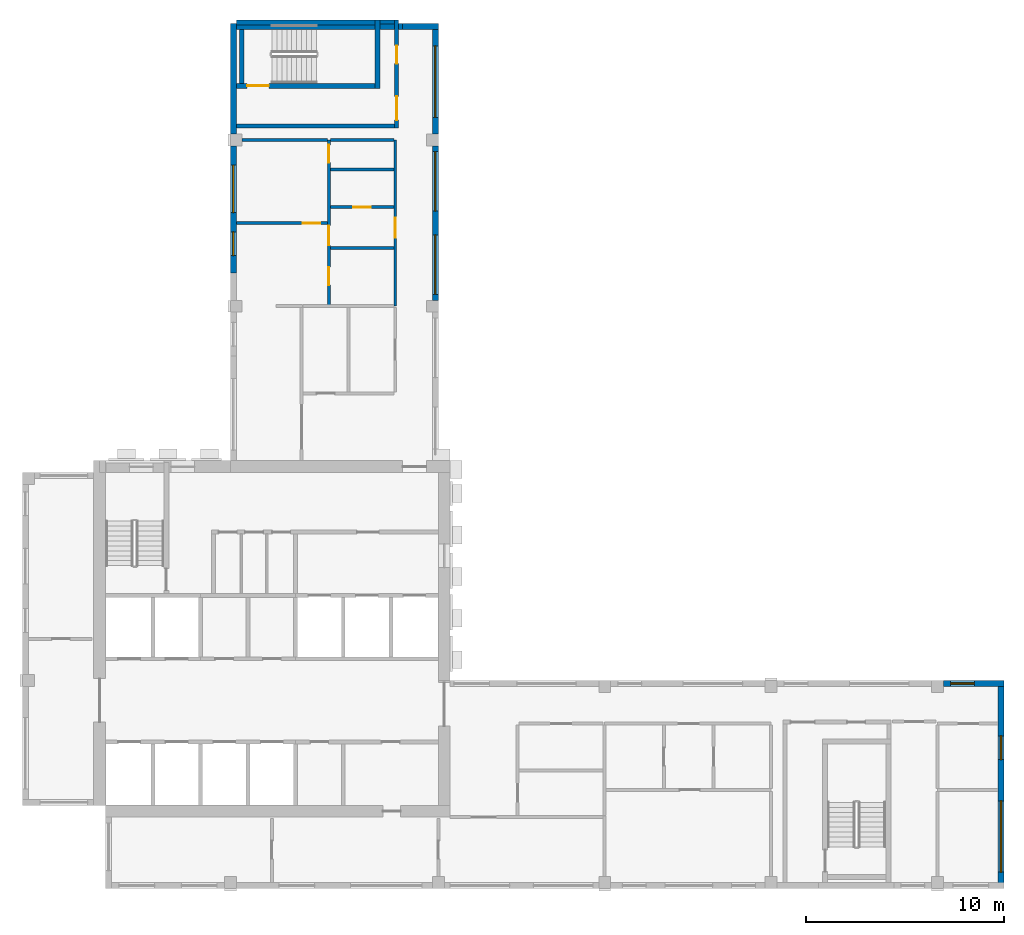
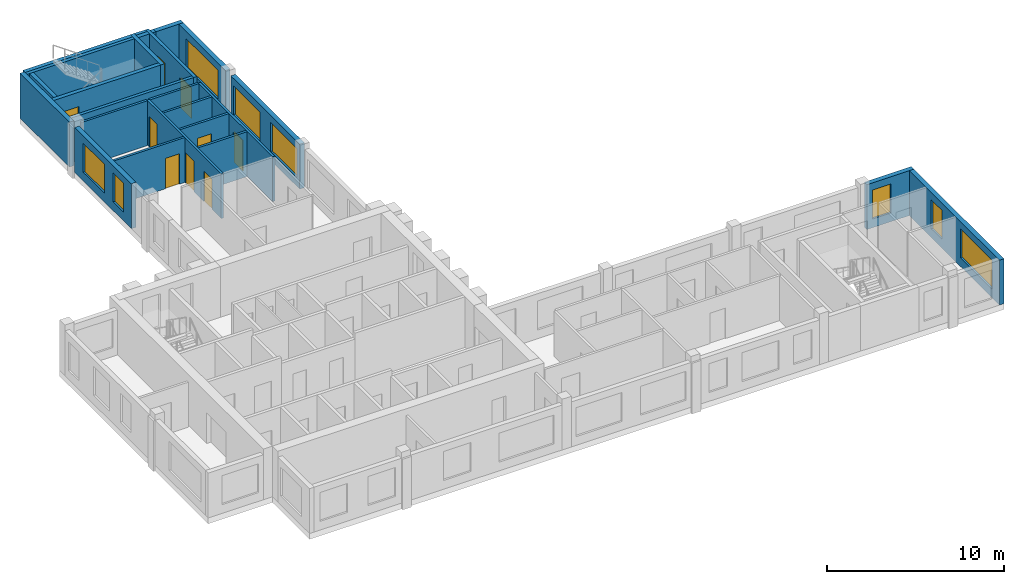
# One storey, part 5 of 10: 23 walls, 9 doors, 8 windows, 17 openings.
"""IFC4 building model written with IfcOpenShell, lengths in metres."""

from ifc_helpers import new_model, si_unit, direction, frame, frame_2d, origin, place, context, subcontext, project, spatial, rectangle, extrude, source, transform, mapped, material, layer, layer_set, type_object, element, fill, save


model = new_model("IFC4")

# Units and contexts
model_context = context("Model", 3, precision=1e-05, world=origin(), true_north=direction((0.0, 1.0)))
body_context = subcontext(model_context, "Body", "Model", "MODEL_VIEW")
ifc_project = project(units=[si_unit("LENGTHUNIT", "METRE"), si_unit("AREAUNIT", "SQUARE_METRE"), si_unit("VOLUMEUNIT", "CUBIC_METRE"), si_unit("PLANEANGLEUNIT", "RADIAN"), si_unit("MASSUNIT", "GRAM", prefix="KILO")], contexts=[model_context])

# Site, building, storey
site_placement = place(None, origin())
site = spatial("IfcSite", under=ifc_project, at=site_placement, CompositionType="ELEMENT")
building_placement = place(site_placement, origin())
building = spatial("IfcBuilding", under=site, at=building_placement, Name="Aurelian Terraces", CompositionType="ELEMENT")
storey_placement = place(building_placement, frame((0.0, 0.0, 358.0)))
storey = spatial("IfcBuildingStorey", under=building, at=storey_placement, Name="L85", CompositionType="ELEMENT", Elevation=358.0)

# Wall, opening, door
ifc_material_1 = material(Name="Gypsum board on steel studs", Category="steel")
ifc_layer_1 = layer(ifc_material_1, 0.15)
ifc_layer_set_1 = layer_set([ifc_layer_1], Name="Partition 150")
wall_type_1 = type_object("IfcWallType", Name="Partition 150", PredefinedType="PARTITIONING", material=ifc_layer_set_1)
wall_1_placement = place(storey_placement, frame((15.4, 33.6, 0.0), z_axis=(0.0, 0.0, 1.0), x_axis=(-1.0, 0.0, 0.0)))
wall_1 = element("IfcWall", 1, at=wall_1_placement, inside=storey, type_object=wall_type_1, Name="Partition", PredefinedType="PARTITIONING", context=body_context, shape_type="SweptSolid", body=[
    extrude(rectangle(XDim=4.6, YDim=0.15, at=frame_2d((2.3, 0.0))), origin(), (0.0, 0.0, 1.0), 3.1),
])
shared_shape_1 = source(origin(), body_context, "Body", "SweptSolid", [
    extrude(rectangle(XDim=0.9, YDim=2.1, at=frame_2d((0.45, 1.05))), frame((0.0, 0.085, 0.0), z_axis=(0.0, -1.0, 0.0), x_axis=(1.0, 0.0, 0.0)), (0.0, 0.0, 1.0), 0.17),
])
opening_1_placement = place(wall_1_placement, frame((0.35, 0.0, 0.0)))
opening_1 = element("IfcOpeningElement", 2, at=opening_1_placement, cuts=wall_1, Name="Opening 785021", PredefinedType="OPENING", context=body_context, shape_type="MappedRepresentation", body=[
    mapped(shared_shape_1, transform((0.0, 0.0, 0.0), scale=1.0)),
])
ifc_material_2 = material(Name="Timber door leaf", Category="wood")
door_type_1 = type_object("IfcDoorType", Name="Room door 900x2100 left", OperationType="SINGLE_SWING_LEFT", PredefinedType="DOOR", material=ifc_material_2)
shared_shape_2 = source(origin(), body_context, "Body", "SweptSolid", [
    extrude(rectangle(XDim=0.9, YDim=2.1, at=frame_2d((0.45, 1.05))), frame((0.0, 0.025, 0.0), z_axis=(0.0, -1.0, 0.0), x_axis=(1.0, 0.0, 0.0)), (0.0, 0.0, 1.0), 0.05),
])
door_1_placement = place(opening_1_placement, origin())
door_1 = element("IfcDoor", 3, at=door_1_placement, inside=storey, type_object=door_type_1, Name="Door 785021", OperationType="SINGLE_SWING_LEFT", OverallHeight=2.1, OverallWidth=0.9, PredefinedType="DOOR", context=body_context, shape_type="MappedRepresentation", body=[
    mapped(shared_shape_2, transform((0.0, 0.0, 0.0), scale=1.0)),
])
fill(opening_1, door_1)

# Wall, openings, windows
ifc_material_3 = material(Name="Terracotta rainscreen cladding", Category="masonry")
ifc_layer_2 = layer(ifc_material_3, 0.3)
ifc_layer_set_2 = layer_set([ifc_layer_2], Name="EW-300")
wall_type_2 = type_object("IfcWallType", Name="EW-300", PredefinedType="STANDARD", material=ifc_layer_set_2)
shared_shape_3 = source(origin(), body_context, "Body", "SweptSolid", [
    extrude(rectangle(XDim=10.5, YDim=0.3, at=frame_2d((5.25, 0.0))), origin(), (0.0, 0.0, 1.0), 3.1),
])
wall_2_placement = place(storey_placement, frame((49.41, 0.0, 0.0), z_axis=(0.0, 0.0, 1.0), x_axis=(0.0, 1.0, 0.0)))
wall_2 = element("IfcWall", 4, at=wall_2_placement, inside=storey, type_object=wall_type_2, Name="External wall L85 F02.7", PredefinedType="STANDARD", context=body_context, shape_type="MappedRepresentation", body=[
    mapped(shared_shape_3, transform((0.0, 0.0, 0.0), scale=1.0)),
])
shared_shape_4 = source(origin(), body_context, "Body", "SweptSolid", [
    extrude(rectangle(XDim=3.6, YDim=2.0, at=frame_2d((1.8, 1.0))), frame((0.0, 0.16, 0.0), z_axis=(0.0, -1.0, 0.0), x_axis=(1.0, 0.0, 0.0)), (0.0, 0.0, 1.0), 0.32),
])
opening_2_placement = place(wall_2_placement, frame((0.825, 0.0, 0.6)))
opening_2 = element("IfcOpeningElement", 5, at=opening_2_placement, cuts=wall_2, Name="Opening W3620", PredefinedType="OPENING", context=body_context, shape_type="MappedRepresentation", body=[
    mapped(shared_shape_4, transform((0.0, 0.0, 0.0), scale=1.0)),
])
shared_shape_5 = source(origin(), body_context, "Body", "SweptSolid", [
    extrude(rectangle(XDim=1.2, YDim=2.0, at=frame_2d((0.6, 1.0))), frame((0.0, 0.16, 0.0), z_axis=(0.0, -1.0, 0.0), x_axis=(1.0, 0.0, 0.0)), (0.0, 0.0, 1.0), 0.32),
])
opening_3_placement = place(wall_2_placement, frame((6.5125, 0.0, 0.6)))
opening_3 = element("IfcOpeningElement", 6, at=opening_3_placement, cuts=wall_2, Name="Opening W1220", PredefinedType="OPENING", context=body_context, shape_type="MappedRepresentation", body=[
    mapped(shared_shape_5, transform((0.0, 0.0, 0.0), scale=1.0)),
])
ifc_material_4 = material(Name="Clear glazing", Category="glass")
window_type_1 = type_object("IfcWindowType", Name="W-1200x2000", PartitioningType="SINGLE_PANEL", PredefinedType="WINDOW", material=ifc_material_4)
shared_shape_6 = source(origin(), body_context, "Body", "SweptSolid", [
    extrude(rectangle(XDim=1.2, YDim=2.0, at=frame_2d((0.6, 1.0))), frame((0.0, 0.03, 0.0), z_axis=(0.0, -1.0, 0.0), x_axis=(1.0, 0.0, 0.0)), (0.0, 0.0, 1.0), 0.06),
])
window_1_placement = place(opening_3_placement, origin())
window_1 = element("IfcWindow", 7, at=window_1_placement, inside=storey, type_object=window_type_1, Name="Window L85 L85-F02-07-1", OverallHeight=2.0, OverallWidth=1.2, PartitioningType="SINGLE_PANEL", PredefinedType="WINDOW", context=body_context, shape_type="MappedRepresentation", body=[
    mapped(shared_shape_6, transform((0.0, 0.0, 0.0), scale=1.0)),
])
fill(opening_3, window_1)
window_type_2 = type_object("IfcWindowType", Name="W-3600x2000", PartitioningType="SINGLE_PANEL", PredefinedType="WINDOW", material=ifc_material_4)
shared_shape_7 = source(origin(), body_context, "Body", "SweptSolid", [
    extrude(rectangle(XDim=3.6, YDim=2.0, at=frame_2d((1.8, 1.0))), frame((0.0, 0.03, 0.0), z_axis=(0.0, -1.0, 0.0), x_axis=(1.0, 0.0, 0.0)), (0.0, 0.0, 1.0), 0.06),
])
window_2_placement = place(opening_2_placement, origin())
window_2 = element("IfcWindow", 8, at=window_2_placement, inside=storey, type_object=window_type_2, Name="Window L85 L85-F02-07-0", OverallHeight=2.0, OverallWidth=3.6, PartitioningType="SINGLE_PANEL", PredefinedType="WINDOW", context=body_context, shape_type="MappedRepresentation", body=[
    mapped(shared_shape_7, transform((0.0, 0.0, 0.0), scale=1.0)),
])
fill(opening_2, window_2)

# Walls
shared_shape_8 = source(origin(), body_context, "Body", "SweptSolid", [
    extrude(rectangle(XDim=1.8, YDim=0.3, at=frame_2d((0.9, 0.0))), origin(), (0.0, 0.0, 1.0), 3.1),
])
wall_3_placement = place(storey_placement, frame((21.0, 43.53, 0.0), z_axis=(0.0, 0.0, 1.0), x_axis=(-1.0, 0.0, 0.0)))
element("IfcWall", 9, at=wall_3_placement, inside=storey, type_object=wall_type_2, Name="External wall L85 F05.13", PredefinedType="STANDARD", context=body_context, shape_type="MappedRepresentation", body=[
    mapped(shared_shape_8, transform((0.0, 0.0, 0.0), scale=1.0)),
])
ifc_material_5 = material(Name="Concrete fc' 40 MPa", Category="concrete")
ifc_layer_3 = layer(ifc_material_5, 0.3)
ifc_layer_set_3 = layer_set([ifc_layer_3], Name="STAIR BAY WALL 300")
wall_type_3 = type_object("IfcWallType", Name="STAIR BAY WALL 300", PredefinedType="SOLIDWALL", material=ifc_layer_set_3)
shared_shape_9 = source(origin(), body_context, "Body", "SweptSolid", [
    extrude(rectangle(XDim=8.6, YDim=0.3, at=frame_2d((4.3, 0.0))), origin(), (0.0, 0.0, 1.0), 3.1),
])
wall_4_placement = place(storey_placement, frame((19.2, 43.53, 0.0), z_axis=(0.0, 0.0, 1.0), x_axis=(-1.0, 0.0, 0.0)))
element("IfcWall", 10, at=wall_4_placement, inside=storey, type_object=wall_type_3, Name="Stair bay wall L85 F05.13", PredefinedType="SOLIDWALL", context=body_context, shape_type="MappedRepresentation", body=[
    mapped(shared_shape_9, transform((0.0, 0.0, 0.0), scale=1.0)),
])

# Wall, opening, window
shared_shape_10 = source(origin(), body_context, "Body", "SweptSolid", [
    extrude(rectangle(XDim=3.06, YDim=0.3, at=frame_2d((1.53, 0.0))), origin(), (0.0, 0.0, 1.0), 3.1),
])
wall_5_placement = place(storey_placement, frame((49.56, 10.35, 0.0), z_axis=(0.0, 0.0, 1.0), x_axis=(-1.0, 0.0, 0.0)))
wall_5 = element("IfcWall", 11, at=wall_5_placement, inside=storey, type_object=wall_type_2, Name="External wall L85 F03.8", PredefinedType="STANDARD", context=body_context, shape_type="MappedRepresentation", body=[
    mapped(shared_shape_10, transform((0.0, 0.0, 0.0), scale=1.0)),
])
opening_4_placement = place(wall_5_placement, frame((1.5, 0.0, 0.6)))
opening_4 = element("IfcOpeningElement", 12, at=opening_4_placement, cuts=wall_5, Name="Opening W1220", PredefinedType="OPENING", context=body_context, shape_type="MappedRepresentation", body=[
    mapped(shared_shape_5, transform((0.0, 0.0, 0.0), scale=1.0)),
])
window_3_placement = place(opening_4_placement, origin())
window_3 = element("IfcWindow", 13, at=window_3_placement, inside=storey, type_object=window_type_1, Name="Window L85 L85-F03-08-0", OverallHeight=2.0, OverallWidth=1.2, PartitioningType="SINGLE_PANEL", PredefinedType="WINDOW", context=body_context, shape_type="MappedRepresentation", body=[
    mapped(shared_shape_6, transform((0.0, 0.0, 0.0), scale=1.0)),
])
fill(opening_4, window_3)

# Wall, openings, windows
shared_shape_11 = source(origin(), body_context, "Body", "SweptSolid", [
    extrude(rectangle(XDim=7.8, YDim=0.3, at=frame_2d((3.9, 0.0))), origin(), (0.0, 0.0, 1.0), 3.1),
])
wall_6_placement = place(storey_placement, frame((20.85, 29.7, 0.0), z_axis=(0.0, 0.0, 1.0), x_axis=(0.0, 1.0, 0.0)))
wall_6 = element("IfcWall", 14, at=wall_6_placement, inside=storey, type_object=wall_type_2, Name="External wall L85 F04.11", PredefinedType="STANDARD", context=body_context, shape_type="MappedRepresentation", body=[
    mapped(shared_shape_11, transform((0.0, 0.0, 0.0), scale=1.0)),
])
shared_shape_12 = source(origin(), body_context, "Body", "SweptSolid", [
    extrude(rectangle(XDim=3.0, YDim=2.0, at=frame_2d((1.5, 1.0))), frame((0.0, 0.16, 0.0), z_axis=(0.0, -1.0, 0.0), x_axis=(1.0, 0.0, 0.0)), (0.0, 0.0, 1.0), 0.32),
])
opening_5_placement = place(wall_6_placement, frame((0.3, 0.0, 0.6)))
opening_5 = element("IfcOpeningElement", 15, at=opening_5_placement, cuts=wall_6, Name="Opening W3020", PredefinedType="OPENING", context=body_context, shape_type="MappedRepresentation", body=[
    mapped(shared_shape_12, transform((0.0, 0.0, 0.0), scale=1.0)),
])
opening_6_placement = place(wall_6_placement, frame((4.5, 0.0, 0.6)))
opening_6 = element("IfcOpeningElement", 16, at=opening_6_placement, cuts=wall_6, Name="Opening W3020", PredefinedType="OPENING", context=body_context, shape_type="MappedRepresentation", body=[
    mapped(shared_shape_12, transform((0.0, 0.0, 0.0), scale=1.0)),
])
window_type_3 = type_object("IfcWindowType", Name="W-3000x2000", PartitioningType="SINGLE_PANEL", PredefinedType="WINDOW", material=ifc_material_4)
shared_shape_13 = source(origin(), body_context, "Body", "SweptSolid", [
    extrude(rectangle(XDim=3.0, YDim=2.0, at=frame_2d((1.5, 1.0))), frame((0.0, 0.03, 0.0), z_axis=(0.0, -1.0, 0.0), x_axis=(1.0, 0.0, 0.0)), (0.0, 0.0, 1.0), 0.06),
])
window_4_placement = place(opening_5_placement, origin())
window_4 = element("IfcWindow", 17, at=window_4_placement, inside=storey, type_object=window_type_3, Name="Window L85 L85-F04-11-0", OverallHeight=2.0, OverallWidth=3.0, PartitioningType="SINGLE_PANEL", PredefinedType="WINDOW", context=body_context, shape_type="MappedRepresentation", body=[
    mapped(shared_shape_13, transform((0.0, 0.0, 0.0), scale=1.0)),
])
fill(opening_5, window_4)
window_5_placement = place(opening_6_placement, origin())
window_5 = element("IfcWindow", 18, at=window_5_placement, inside=storey, type_object=window_type_3, Name="Window L85 L85-F04-11-1", OverallHeight=2.0, OverallWidth=3.0, PartitioningType="SINGLE_PANEL", PredefinedType="WINDOW", context=body_context, shape_type="MappedRepresentation", body=[
    mapped(shared_shape_13, transform((0.0, 0.0, 0.0), scale=1.0)),
])
fill(opening_6, window_5)

# Wall, opening, window
shared_shape_14 = source(origin(), body_context, "Body", "SweptSolid", [
    extrude(rectangle(XDim=5.58, YDim=0.3, at=frame_2d((2.79, 0.0))), origin(), (0.0, 0.0, 1.0), 3.1),
])
wall_7_placement = place(storey_placement, frame((20.85, 38.1, 0.0), z_axis=(0.0, 0.0, 1.0), x_axis=(0.0, 1.0, 0.0)))
wall_7 = element("IfcWall", 19, at=wall_7_placement, inside=storey, type_object=wall_type_2, Name="External wall L85 F04.12", PredefinedType="STANDARD", context=body_context, shape_type="MappedRepresentation", body=[
    mapped(shared_shape_14, transform((0.0, 0.0, 0.0), scale=1.0)),
])
opening_7_placement = place(wall_7_placement, frame((0.84, 0.0, 0.6)))
opening_7 = element("IfcOpeningElement", 20, at=opening_7_placement, cuts=wall_7, Name="Opening W3620", PredefinedType="OPENING", context=body_context, shape_type="MappedRepresentation", body=[
    mapped(shared_shape_4, transform((0.0, 0.0, 0.0), scale=1.0)),
])
window_6_placement = place(opening_7_placement, origin())
window_6 = element("IfcWindow", 21, at=window_6_placement, inside=storey, type_object=window_type_2, Name="Window L85 L85-F04-12-0", OverallHeight=2.0, OverallWidth=3.6, PartitioningType="SINGLE_PANEL", PredefinedType="WINDOW", context=body_context, shape_type="MappedRepresentation", body=[
    mapped(shared_shape_7, transform((0.0, 0.0, 0.0), scale=1.0)),
])
fill(opening_7, window_6)

# Wall
shared_shape_15 = source(origin(), body_context, "Body", "SweptSolid", [
    extrude(rectangle(XDim=5.58, YDim=0.3, at=frame_2d((2.79, 0.0))), origin(), (0.0, 0.0, 1.0), 3.1),
])
wall_8_placement = place(storey_placement, frame((10.65, 43.68, 0.0), z_axis=(0.0, 0.0, 1.0), x_axis=(0.0, -1.0, 0.0)))
element("IfcWall", 22, at=wall_8_placement, inside=storey, type_object=wall_type_3, Name="Stair bay wall L85 F06.14", PredefinedType="SOLIDWALL", context=body_context, shape_type="MappedRepresentation", body=[
    mapped(shared_shape_15, transform((0.0, 0.0, 0.0), scale=1.0)),
])

# Wall, openings, windows
shared_shape_16 = source(origin(), body_context, "Body", "SweptSolid", [
    extrude(rectangle(XDim=6.42, YDim=0.3, at=frame_2d((3.21, 0.0))), origin(), (0.0, 0.0, 1.0), 3.1),
])
wall_9_placement = place(storey_placement, frame((10.65, 37.5, 0.0), z_axis=(0.0, 0.0, 1.0), x_axis=(0.0, -1.0, 0.0)))
wall_9 = element("IfcWall", 23, at=wall_9_placement, inside=storey, type_object=wall_type_2, Name="External wall L85 F06.14", PredefinedType="STANDARD", context=body_context, shape_type="MappedRepresentation", body=[
    mapped(shared_shape_16, transform((0.0, 0.0, 0.0), scale=1.0)),
])
opening_8_placement = place(wall_9_placement, frame((4.3475, 0.0, 0.6)))
opening_8 = element("IfcOpeningElement", 24, at=opening_8_placement, cuts=wall_9, Name="Opening W1220", PredefinedType="OPENING", context=body_context, shape_type="MappedRepresentation", body=[
    mapped(shared_shape_5, transform((0.0, 0.0, 0.0), scale=1.0)),
])
shared_shape_17 = source(origin(), body_context, "Body", "SweptSolid", [
    extrude(rectangle(XDim=2.4, YDim=2.0, at=frame_2d((1.2, 1.0))), frame((0.0, 0.16, 0.0), z_axis=(0.0, -1.0, 0.0), x_axis=(1.0, 0.0, 0.0)), (0.0, 0.0, 1.0), 0.32),
])
opening_9_placement = place(wall_9_placement, frame((0.9737, 0.0, 0.6)))
opening_9 = element("IfcOpeningElement", 25, at=opening_9_placement, cuts=wall_9, Name="Opening W2420", PredefinedType="OPENING", context=body_context, shape_type="MappedRepresentation", body=[
    mapped(shared_shape_17, transform((0.0, 0.0, 0.0), scale=1.0)),
])
window_7_placement = place(opening_8_placement, origin())
window_7 = element("IfcWindow", 26, at=window_7_placement, inside=storey, type_object=window_type_1, Name="Window L85 L85-F06-14-2", OverallHeight=2.0, OverallWidth=1.2, PartitioningType="SINGLE_PANEL", PredefinedType="WINDOW", context=body_context, shape_type="MappedRepresentation", body=[
    mapped(shared_shape_6, transform((0.0, 0.0, 0.0), scale=1.0)),
])
fill(opening_8, window_7)
window_type_4 = type_object("IfcWindowType", Name="W-2400x2000", PartitioningType="SINGLE_PANEL", PredefinedType="WINDOW", material=ifc_material_4)
shared_shape_18 = source(origin(), body_context, "Body", "SweptSolid", [
    extrude(rectangle(XDim=2.4, YDim=2.0, at=frame_2d((1.2, 1.0))), frame((0.0, 0.03, 0.0), z_axis=(0.0, -1.0, 0.0), x_axis=(1.0, 0.0, 0.0)), (0.0, 0.0, 1.0), 0.06),
])
window_8_placement = place(opening_9_placement, origin())
window_8 = element("IfcWindow", 27, at=window_8_placement, inside=storey, type_object=window_type_4, Name="Window L85 L85-F06-14-G1-62", OverallHeight=2.0, OverallWidth=2.4, PartitioningType="SINGLE_PANEL", PredefinedType="WINDOW", context=body_context, shape_type="MappedRepresentation", body=[
    mapped(shared_shape_18, transform((0.0, 0.0, 0.0), scale=1.0)),
])
fill(opening_9, window_8)

# Wall, opening, door
ifc_layer_4 = layer(ifc_material_5, 0.25)
ifc_layer_set_4 = layer_set([ifc_layer_4], Name="Stair enclosure wall 250")
wall_type_4 = type_object("IfcWallType", Name="Stair enclosure wall 250", PredefinedType="SOLIDWALL", material=ifc_layer_set_4)
shared_shape_19 = source(origin(), body_context, "Body", "SweptSolid", [
    extrude(rectangle(XDim=7.0, YDim=0.25, at=frame_2d((3.5, 0.0))), origin(), (0.0, 0.0, 1.0), 3.1),
])
wall_10_placement = place(storey_placement, frame((10.8, 40.525, 0.0), z_axis=(0.0, 0.0, 1.0), x_axis=(1.0, 0.0, 0.0)))
wall_10 = element("IfcWall", 28, at=wall_10_placement, inside=storey, type_object=wall_type_4, Name="L85 core wall ST-S3U-W", PredefinedType="SOLIDWALL", context=body_context, shape_type="MappedRepresentation", body=[
    mapped(shared_shape_19, transform((0.0, 0.0, 0.0), scale=1.0)),
])
shared_shape_20 = source(origin(), body_context, "Body", "SweptSolid", [
    extrude(rectangle(XDim=1.1, YDim=2.1, at=frame_2d((0.55, 1.05))), frame((0.0, 0.135, 0.0), z_axis=(0.0, -1.0, 0.0), x_axis=(1.0, 0.0, 0.0)), (0.0, 0.0, 1.0), 0.27),
])
opening_10_placement = place(wall_10_placement, frame((0.55, 0.0, 0.0)))
opening_10 = element("IfcOpeningElement", 29, at=opening_10_placement, cuts=wall_10, Name="Opening 68821", PredefinedType="OPENING", context=body_context, shape_type="MappedRepresentation", body=[
    mapped(shared_shape_20, transform((0.0, 0.0, 0.0), scale=1.0)),
])
ifc_material_6 = material(Name="Steel door leaf", Category="steel")
door_type_2 = type_object("IfcDoorType", Name="Core fire door 1100x2100 right", OperationType="SINGLE_SWING_RIGHT", PredefinedType="DOOR", material=ifc_material_6)
shared_shape_21 = source(origin(), body_context, "Body", "SweptSolid", [
    extrude(rectangle(XDim=1.1, YDim=2.1, at=frame_2d((0.55, 1.05))), frame((0.0, 0.025, 0.0), z_axis=(0.0, -1.0, 0.0), x_axis=(1.0, 0.0, 0.0)), (0.0, 0.0, 1.0), 0.05),
])
door_2_placement = place(opening_10_placement, origin())
door_2 = element("IfcDoor", 30, at=door_2_placement, inside=storey, type_object=door_type_2, Name="Stair door 68821", OperationType="SINGLE_SWING_RIGHT", OverallHeight=2.1, OverallWidth=1.1, PredefinedType="DOOR", context=body_context, shape_type="MappedRepresentation", body=[
    mapped(shared_shape_21, transform((0.0, 0.0, 0.0), scale=1.0)),
])
fill(opening_10, door_2)

# Walls
wall_11_placement = place(storey_placement, frame((10.8, 43.725, 0.0), z_axis=(0.0, 0.0, 1.0), x_axis=(1.0, 0.0, 0.0)))
element("IfcWall", 31, at=wall_11_placement, inside=storey, type_object=wall_type_4, Name="L85 core wall ST-S3U-E", PredefinedType="SOLIDWALL", context=body_context, shape_type="MappedRepresentation", body=[
    mapped(shared_shape_19, transform((0.0, 0.0, 0.0), scale=1.0)),
])
shared_shape_22 = source(origin(), body_context, "Body", "SweptSolid", [
    extrude(rectangle(XDim=3.45, YDim=0.25, at=frame_2d((1.725, 0.0))), origin(), (0.0, 0.0, 1.0), 3.1),
])
wall_12_placement = place(storey_placement, frame((17.925, 40.4, 0.0), z_axis=(0.0, 0.0, 1.0), x_axis=(0.0, 1.0, 0.0)))
element("IfcWall", 32, at=wall_12_placement, inside=storey, type_object=wall_type_4, Name="L85 core wall ST-S3U-N", PredefinedType="SOLIDWALL", context=body_context, shape_type="MappedRepresentation", body=[
    mapped(shared_shape_22, transform((0.0, 0.0, 0.0), scale=1.0)),
])
ifc_layer_5 = layer(ifc_material_1, 0.2)
ifc_layer_set_5 = layer_set([ifc_layer_5], Name="Core partition 200")
wall_type_5 = type_object("IfcWallType", Name="Core partition 200", PredefinedType="PARTITIONING", material=ifc_layer_set_5)
shared_shape_23 = source(origin(), body_context, "Body", "SweptSolid", [
    extrude(rectangle(XDim=8.0, YDim=0.2, at=frame_2d((4.0, 0.0))), origin(), (0.0, 0.0, 1.0), 3.1),
])
wall_13_placement = place(storey_placement, frame((10.8, 38.5, 0.0), z_axis=(0.0, 0.0, 1.0), x_axis=(1.0, 0.0, 0.0)))
element("IfcWall", 33, at=wall_13_placement, inside=storey, type_object=wall_type_5, Name="L85 core wall ST-S3U-VW", PredefinedType="PARTITIONING", context=body_context, shape_type="MappedRepresentation", body=[
    mapped(shared_shape_23, transform((0.0, 0.0, 0.0), scale=1.0)),
])

# Wall, openings, doors
shared_shape_24 = source(origin(), body_context, "Body", "SweptSolid", [
    extrude(rectangle(XDim=5.45, YDim=0.2, at=frame_2d((2.725, 0.0))), origin(), (0.0, 0.0, 1.0), 3.1),
])
wall_14_placement = place(storey_placement, frame((18.9, 38.4, 0.0), z_axis=(0.0, 0.0, 1.0), x_axis=(0.0, 1.0, 0.0)))
wall_14 = element("IfcWall", 34, at=wall_14_placement, inside=storey, type_object=wall_type_5, Name="L85 core wall ST-S3U-BN", PredefinedType="PARTITIONING", context=body_context, shape_type="MappedRepresentation", body=[
    mapped(shared_shape_24, transform((0.0, 0.0, 0.0), scale=1.0)),
])
shared_shape_25 = source(origin(), body_context, "Body", "SweptSolid", [
    extrude(rectangle(XDim=1.2, YDim=2.1, at=frame_2d((0.6, 1.05))), frame((0.0, 0.11, 0.0), z_axis=(0.0, -1.0, 0.0), x_axis=(1.0, 0.0, 0.0)), (0.0, 0.0, 1.0), 0.22),
])
opening_11_placement = place(wall_14_placement, frame((0.4, 0.0, 0.0)))
opening_11 = element("IfcOpeningElement", 35, at=opening_11_placement, cuts=wall_14, Name="Opening 68822", PredefinedType="OPENING", context=body_context, shape_type="MappedRepresentation", body=[
    mapped(shared_shape_25, transform((0.0, 0.0, 0.0), scale=1.0)),
])
shared_shape_26 = source(origin(), body_context, "Body", "SweptSolid", [
    extrude(rectangle(XDim=0.9, YDim=2.1, at=frame_2d((0.45, 1.05))), frame((0.0, 0.11, 0.0), z_axis=(0.0, -1.0, 0.0), x_axis=(1.0, 0.0, 0.0)), (0.0, 0.0, 1.0), 0.22),
])
opening_12_placement = place(wall_14_placement, frame((3.25, 0.0, 0.0)))
opening_12 = element("IfcOpeningElement", 36, at=opening_12_placement, cuts=wall_14, Name="Opening 68823", PredefinedType="OPENING", context=body_context, shape_type="MappedRepresentation", body=[
    mapped(shared_shape_26, transform((0.0, 0.0, 0.0), scale=1.0)),
])
door_type_3 = type_object("IfcDoorType", Name="Core riser door 900x2100 right", OperationType="SINGLE_SWING_RIGHT", PredefinedType="DOOR", material=ifc_material_6)
door_3_placement = place(opening_12_placement, origin())
door_3 = element("IfcDoor", 37, at=door_3_placement, inside=storey, type_object=door_type_3, Name="Riser door 68823", OperationType="SINGLE_SWING_RIGHT", OverallHeight=2.1, OverallWidth=0.9, PredefinedType="DOOR", context=body_context, shape_type="MappedRepresentation", body=[
    mapped(shared_shape_2, transform((0.0, 0.0, 0.0), scale=1.0)),
])
fill(opening_12, door_3)
door_type_4 = type_object("IfcDoorType", Name="Core fire door 1200x2100", OperationType="SINGLE_SWING_LEFT", PredefinedType="DOOR", material=ifc_material_6)
shared_shape_27 = source(origin(), body_context, "Body", "SweptSolid", [
    extrude(rectangle(XDim=1.2, YDim=2.1, at=frame_2d((0.6, 1.05))), frame((0.0, 0.025, 0.0), z_axis=(0.0, -1.0, 0.0), x_axis=(1.0, 0.0, 0.0)), (0.0, 0.0, 1.0), 0.05),
])
door_4_placement = place(opening_11_placement, origin())
door_4 = element("IfcDoor", 38, at=door_4_placement, inside=storey, type_object=door_type_4, Name="Vestibule door 68822", OperationType="SINGLE_SWING_LEFT", OverallHeight=2.1, OverallWidth=1.2, PredefinedType="DOOR", context=body_context, shape_type="MappedRepresentation", body=[
    mapped(shared_shape_27, transform((0.0, 0.0, 0.0), scale=1.0)),
])
fill(opening_11, door_4)

# Walls
shared_shape_28 = source(origin(), body_context, "Body", "SweptSolid", [
    extrude(rectangle(XDim=0.75, YDim=0.2, at=frame_2d((0.375, 0.0))), origin(), (0.0, 0.0, 1.0), 3.1),
])
wall_15_placement = place(storey_placement, frame((18.05, 43.75, 0.0), z_axis=(0.0, 0.0, 1.0), x_axis=(1.0, 0.0, 0.0)))
element("IfcWall", 39, at=wall_15_placement, inside=storey, type_object=wall_type_5, Name="L85 core wall ST-S3U-RE", PredefinedType="PARTITIONING", context=body_context, shape_type="MappedRepresentation", body=[
    mapped(shared_shape_28, transform((0.0, 0.0, 0.0), scale=1.0)),
])
shared_shape_29 = source(origin(), body_context, "Body", "SweptSolid", [
    extrude(rectangle(XDim=2.73, YDim=0.25, at=frame_2d((1.365, 0.0))), origin(), (0.0, 0.0, 1.0), 3.1),
])
wall_16_placement = place(storey_placement, frame((11.075, 40.65, 0.0), z_axis=(0.0, 0.0, 1.0), x_axis=(0.0, 1.0, 0.0)))
element("IfcWall", 40, at=wall_16_placement, inside=storey, type_object=wall_type_4, Name="L85 core wall ST-S3U-SS", PredefinedType="SOLIDWALL", context=body_context, shape_type="MappedRepresentation", body=[
    mapped(shared_shape_29, transform((0.0, 0.0, 0.0), scale=1.0)),
])
shared_shape_30 = source(origin(), body_context, "Body", "SweptSolid", [
    extrude(rectangle(XDim=3.2, YDim=0.15, at=frame_2d((1.6, 0.0))), origin(), (0.0, 0.0, 1.0), 3.1),
])
wall_17_placement = place(storey_placement, frame((18.75, 32.335, 0.0), z_axis=(0.0, 0.0, 1.0), x_axis=(-1.0, 0.0, 0.0)))
element("IfcWall", 41, at=wall_17_placement, inside=storey, type_object=wall_type_1, Name="Partition", PredefinedType="PARTITIONING", context=body_context, shape_type="MappedRepresentation", body=[
    mapped(shared_shape_30, transform((0.0, 0.0, 0.0), scale=1.0)),
])

# Wall, opening, door
wall_18_placement = place(storey_placement, frame((18.75, 34.3983, 0.0), z_axis=(0.0, 0.0, 1.0), x_axis=(-1.0, 0.0, 0.0)))
wall_18 = element("IfcWall", 42, at=wall_18_placement, inside=storey, type_object=wall_type_1, Name="Partition", PredefinedType="PARTITIONING", context=body_context, shape_type="MappedRepresentation", body=[
    mapped(shared_shape_30, transform((0.0, 0.0, 0.0), scale=1.0)),
])
opening_13_placement = place(wall_18_placement, frame((1.15, 0.0, 0.0)))
opening_13 = element("IfcOpeningElement", 43, at=opening_13_placement, cuts=wall_18, Name="Opening 785019", PredefinedType="OPENING", context=body_context, shape_type="MappedRepresentation", body=[
    mapped(shared_shape_1, transform((0.0, 0.0, 0.0), scale=1.0)),
])
door_5_placement = place(opening_13_placement, origin())
door_5 = element("IfcDoor", 44, at=door_5_placement, inside=storey, type_object=door_type_1, Name="Door 785019", OperationType="SINGLE_SWING_LEFT", OverallHeight=2.1, OverallWidth=0.9, PredefinedType="DOOR", context=body_context, shape_type="MappedRepresentation", body=[
    mapped(shared_shape_2, transform((0.0, 0.0, 0.0), scale=1.0)),
])
fill(opening_13, door_5)

# Walls
wall_19_placement = place(storey_placement, frame((18.75, 36.3029, 0.0), z_axis=(0.0, 0.0, 1.0), x_axis=(-1.0, 0.0, 0.0)))
element("IfcWall", 45, at=wall_19_placement, inside=storey, type_object=wall_type_1, Name="Partition", PredefinedType="PARTITIONING", context=body_context, shape_type="MappedRepresentation", body=[
    mapped(shared_shape_30, transform((0.0, 0.0, 0.0), scale=1.0)),
])
ifc_layer_6 = layer(ifc_material_1, 0.15)
ifc_layer_set_6 = layer_set([ifc_layer_6], Name="Fire partition 150")
wall_type_6 = type_object("IfcWallType", Name="Fire partition 150", PredefinedType="PARTITIONING", material=ifc_layer_set_6)
wall_20_placement = place(storey_placement, frame((18.75, 37.8, 0.0), z_axis=(0.0, 0.0, 1.0), x_axis=(-1.0, 0.0, 0.0)))
element("IfcWall", 46, at=wall_20_placement, inside=storey, type_object=wall_type_6, Name="Party wall", PredefinedType="PARTITIONING", context=body_context, shape_type="MappedRepresentation", body=[
    mapped(shared_shape_30, transform((0.0, 0.0, 0.0), scale=1.0)),
])

# Wall, openings, doors
shared_shape_31 = source(origin(), body_context, "Body", "SweptSolid", [
    extrude(rectangle(XDim=8.4, YDim=0.15, at=frame_2d((4.2, 0.0))), origin(), (0.0, 0.0, 1.0), 3.1),
])
wall_21_placement = place(storey_placement, frame((15.475, 29.4, 0.0), z_axis=(0.0, 0.0, 1.0), x_axis=(0.0, 1.0, 0.0)))
wall_21 = element("IfcWall", 47, at=wall_21_placement, inside=storey, type_object=wall_type_1, Name="Partition", PredefinedType="PARTITIONING", context=body_context, shape_type="MappedRepresentation", body=[
    mapped(shared_shape_31, transform((0.0, 0.0, 0.0), scale=1.0)),
])
shared_shape_32 = source(origin(), body_context, "Body", "SweptSolid", [
    extrude(rectangle(XDim=1.0, YDim=2.1, at=frame_2d((0.5, 1.05))), frame((0.0, 0.085, 0.0), z_axis=(0.0, -1.0, 0.0), x_axis=(1.0, 0.0, 0.0)), (0.0, 0.0, 1.0), 0.17),
])
opening_14_placement = place(wall_21_placement, frame((3.068, 0.0, 0.0)))
opening_14 = element("IfcOpeningElement", 48, at=opening_14_placement, cuts=wall_21, Name="Opening 785017", PredefinedType="OPENING", context=body_context, shape_type="MappedRepresentation", body=[
    mapped(shared_shape_32, transform((0.0, 0.0, 0.0), scale=1.0)),
])
opening_15_placement = place(wall_21_placement, frame((1.0675, 0.0, 0.0)))
opening_15 = element("IfcOpeningElement", 49, at=opening_15_placement, cuts=wall_21, Name="Opening 785018", PredefinedType="OPENING", context=body_context, shape_type="MappedRepresentation", body=[
    mapped(shared_shape_1, transform((0.0, 0.0, 0.0), scale=1.0)),
])
opening_16_placement = place(wall_21_placement, frame((7.2515, 0.0, 0.0)))
opening_16 = element("IfcOpeningElement", 50, at=opening_16_placement, cuts=wall_21, Name="Opening 785020", PredefinedType="OPENING", context=body_context, shape_type="MappedRepresentation", body=[
    mapped(shared_shape_1, transform((0.0, 0.0, 0.0), scale=1.0)),
])
door_type_5 = type_object("IfcDoorType", Name="Room door 1000x2100 left", OperationType="SINGLE_SWING_LEFT", PredefinedType="DOOR", material=ifc_material_2)
shared_shape_33 = source(origin(), body_context, "Body", "SweptSolid", [
    extrude(rectangle(XDim=1.0, YDim=2.1, at=frame_2d((0.5, 1.05))), frame((0.0, 0.025, 0.0), z_axis=(0.0, -1.0, 0.0), x_axis=(1.0, 0.0, 0.0)), (0.0, 0.0, 1.0), 0.05),
])
door_6_placement = place(opening_14_placement, origin())
door_6 = element("IfcDoor", 51, at=door_6_placement, inside=storey, type_object=door_type_5, Name="Door 785017", OperationType="SINGLE_SWING_LEFT", OverallHeight=2.1, OverallWidth=1.0, PredefinedType="DOOR", context=body_context, shape_type="MappedRepresentation", body=[
    mapped(shared_shape_33, transform((0.0, 0.0, 0.0), scale=1.0)),
])
fill(opening_14, door_6)
door_type_6 = type_object("IfcDoorType", Name="Room door 900x2100 right", OperationType="SINGLE_SWING_RIGHT", PredefinedType="DOOR", material=ifc_material_2)
door_7_placement = place(opening_15_placement, origin())
door_7 = element("IfcDoor", 52, at=door_7_placement, inside=storey, type_object=door_type_6, Name="Door 785018", OperationType="SINGLE_SWING_RIGHT", OverallHeight=2.1, OverallWidth=0.9, PredefinedType="DOOR", context=body_context, shape_type="MappedRepresentation", body=[
    mapped(shared_shape_2, transform((0.0, 0.0, 0.0), scale=1.0)),
])
fill(opening_15, door_7)
door_8_placement = place(opening_16_placement, origin())
door_8 = element("IfcDoor", 53, at=door_8_placement, inside=storey, type_object=door_type_6, Name="Door 785020", OperationType="SINGLE_SWING_RIGHT", OverallHeight=2.1, OverallWidth=0.9, PredefinedType="DOOR", context=body_context, shape_type="MappedRepresentation", body=[
    mapped(shared_shape_2, transform((0.0, 0.0, 0.0), scale=1.0)),
])
fill(opening_16, door_8)

# Wall, opening, door
wall_22_placement = place(storey_placement, frame((18.825, 29.4, 0.0), z_axis=(0.0, 0.0, 1.0), x_axis=(0.0, 1.0, 0.0)))
wall_22 = element("IfcWall", 54, at=wall_22_placement, inside=storey, type_object=wall_type_6, Name="Corridor wall", PredefinedType="PARTITIONING", context=body_context, shape_type="MappedRepresentation", body=[
    mapped(shared_shape_31, transform((0.0, 0.0, 0.0), scale=1.0)),
])
opening_17_placement = place(wall_22_placement, frame((3.4667, 0.0, 0.0)))
opening_17 = element("IfcOpeningElement", 55, at=opening_17_placement, cuts=wall_22, Name="Opening 785016", PredefinedType="OPENING", context=body_context, shape_type="MappedRepresentation", body=[
    mapped(shared_shape_32, transform((0.0, 0.0, 0.0), scale=1.0)),
])
door_type_7 = type_object("IfcDoorType", Name="Entrance fire door 1000x2100 right", OperationType="SINGLE_SWING_RIGHT", PredefinedType="DOOR", material=ifc_material_6)
door_9_placement = place(opening_17_placement, origin())
door_9 = element("IfcDoor", 56, at=door_9_placement, inside=storey, type_object=door_type_7, Name="Door 785016", OperationType="SINGLE_SWING_RIGHT", OverallHeight=2.1, OverallWidth=1.0, PredefinedType="DOOR", context=body_context, shape_type="MappedRepresentation", body=[
    mapped(shared_shape_33, transform((0.0, 0.0, 0.0), scale=1.0)),
])
fill(opening_17, door_9)

# Wall
shared_shape_34 = source(origin(), body_context, "Body", "SweptSolid", [
    extrude(rectangle(XDim=4.301, YDim=0.15, at=frame_2d((2.1505, 0.0))), origin(), (0.0, 0.0, 1.0), 3.1),
])
wall_23_placement = place(storey_placement, frame((15.4, 37.8, 0.0), z_axis=(0.0, 0.0, 1.0), x_axis=(-1.0, 0.0, 0.0)))
element("IfcWall", 57, at=wall_23_placement, inside=storey, type_object=wall_type_6, Name="Party wall", PredefinedType="PARTITIONING", context=body_context, shape_type="MappedRepresentation", body=[
    mapped(shared_shape_34, transform((0.0, 0.0, 0.0), scale=1.0)),
])

save(model, "model.ifc")
